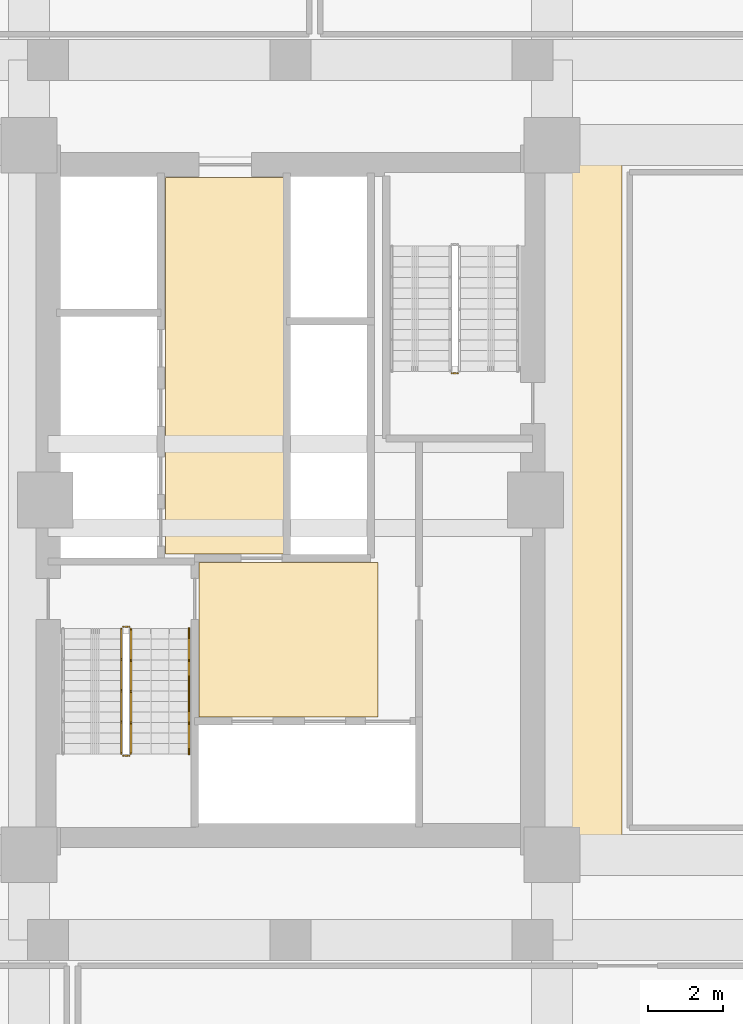
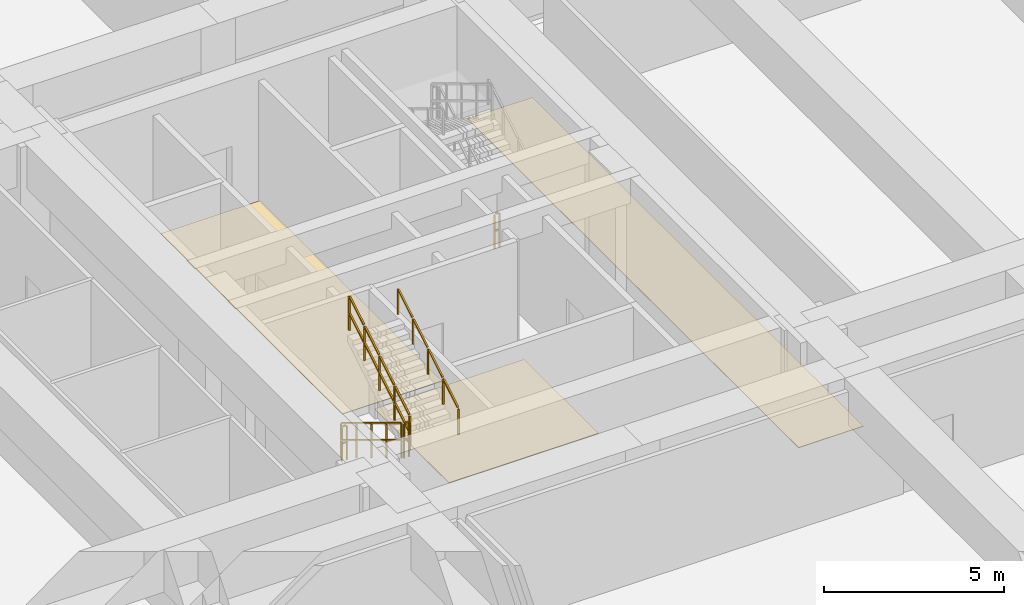
# One storey, part 25 of 28: 6 railings, 3 coverings.
"""IFC4 building model written with IfcOpenShell, lengths in metres."""

from ifc_helpers import new_model, si_unit, direction, frame, origin, origin_2d, place, context, subcontext, project, spatial, polyline, rectangle, outline, extrude, material, layer, layer_set, type_object, element, save


model = new_model("IFC4")

# Units and contexts
model_context = context("Model", 3, precision=1e-05, world=origin(), true_north=direction((0.0, 1.0)))
body_context = subcontext(model_context, "Body", "Model", "MODEL_VIEW")
ifc_project = project(units=[si_unit("LENGTHUNIT", "METRE"), si_unit("AREAUNIT", "SQUARE_METRE"), si_unit("VOLUMEUNIT", "CUBIC_METRE"), si_unit("PLANEANGLEUNIT", "RADIAN"), si_unit("MASSUNIT", "GRAM", prefix="KILO")], contexts=[model_context])

# Site, building, storey
site_placement = place(None, origin())
site = spatial("IfcSite", under=ifc_project, at=site_placement, CompositionType="ELEMENT")
building_placement = place(site_placement, origin())
building = spatial("IfcBuilding", under=site, at=building_placement, Name="Saelheon Loggia Tower", CompositionType="ELEMENT")
storey_placement = place(building_placement, frame((0.0, 0.0, 15.0)))
storey = spatial("IfcBuildingStorey", under=building, at=storey_placement, Name="L04", CompositionType="ELEMENT", Elevation=15.0)

# Coverings
ifc_material_1 = material(Name="Vitrified Porcelain Floor Tile", Category="ceramic")
ifc_layer = layer(ifc_material_1, 0.02001953125)
ifc_layer_set = layer_set([ifc_layer], Name="Vitrified Porcelain Floor Tile")
covering_type = type_object("IfcCoveringType", Name="Cov_Floor_Porcelain", PredefinedType="FLOORING", material=ifc_layer_set)
covering_1_placement = place(storey_placement, origin())
element("IfcCovering", 1, at=covering_1_placement, inside=storey, type_object=covering_type, Name="L04 Corridor Porcelain Flooring", PredefinedType="FLOORING", context=body_context, shape_type="SweptSolid", body=[
    extrude(outline(polyline([(35.550048828125, 21.179931640625), (40.35009765625, 21.179931640625), (40.35009765625, 25.320068359375), (35.550048828125, 25.320068359375), (35.550048828125, 21.179931640625)])), origin(), (0.0, 0.0, 1.0), 0.02001953125),
])
covering_2_placement = place(storey_placement, origin())
element("IfcCovering", 2, at=covering_2_placement, inside=storey, type_object=covering_type, Name="L04 Corridor Porcelain Flooring", PredefinedType="FLOORING", context=body_context, shape_type="SweptSolid", body=[
    extrude(outline(polyline([(34.64990234375, 25.550048828125), (37.85009765625, 25.550048828125), (37.85009765625, 35.64990234375), (34.64990234375, 35.64990234375), (34.64990234375, 25.550048828125)])), origin(), (0.0, 0.0, 1.0), 0.02001953125),
])
covering_3_placement = place(storey_placement, origin())
element("IfcCovering", 3, at=covering_3_placement, inside=storey, type_object=covering_type, Name="L04 Corridor Porcelain Flooring", PredefinedType="FLOORING", context=body_context, shape_type="SweptSolid", body=[
    extrude(outline(polyline([(44.820068359375, 17.800048828125), (46.89990234375, 17.800048828125), (46.89990234375, 36.199951171875), (44.820068359375, 36.199951171875), (44.820068359375, 17.800048828125)])), origin(), (0.0, 0.0, 1.0), 0.02001953125),
])

# Railings
ifc_material_2 = material(Name="Galvanised Steel S275 Stairwell Guardrail", Category="steel")
railing_type_1 = type_object("IfcRailingType", Name="Guard_StairWell_RL_STG", PredefinedType="GUARDRAIL", material=ifc_material_2)
railing_1_placement = place(storey_placement, frame((33.4599609375, 23.550048828125, 0.169189453125)))
element("IfcRailing", 4, at=railing_1_placement, inside=storey, type_object=railing_type_1, Name="L04 ST1 stair guard 1", PredefinedType="GUARDRAIL", context=body_context, shape_type="SweptSolid", body=[
    extrude(rectangle(XDim=0.048095703125, YDim=0.048095703125, at=origin_2d()), frame((0.0, -0.028564453125, 1.193115234375), z_axis=(0.0, -0.855836976705, 0.517245656632), x_axis=(1.0, 0.0, 0.0)), (0.0, 0.0, 1.0), 0.9150390625),
    extrude(rectangle(XDim=0.048095703125, YDim=0.048095703125, at=origin_2d()), frame((0.0, -0.028564453125, 0.6171875), z_axis=(0.0, -0.855836976705, 0.517245656632), x_axis=(1.0, 0.0, 0.0)), (0.0, 0.0, 1.0), 0.9150390625),
    extrude(rectangle(XDim=0.048095703125, YDim=0.048095703125, at=origin_2d()), frame((0.0, -0.868408203125, 1.70068359375), z_axis=(0.0, -0.855836976705, 0.517245656632), x_axis=(1.0, 0.0, 0.0)), (0.0, 0.0, 1.0), 0.9150390625),
    extrude(rectangle(XDim=0.048095703125, YDim=0.048095703125, at=origin_2d()), frame((0.0, -0.868408203125, 1.124755859375), z_axis=(0.0, -0.855836976705, 0.517245656632), x_axis=(1.0, 0.0, 0.0)), (0.0, 0.0, 1.0), 0.9150390625),
    extrude(rectangle(XDim=0.048095703125, YDim=0.048095703125, at=origin_2d()), frame((0.0, -1.70849609375, 2.20849609375), z_axis=(0.0, -0.855836976705, 0.517245656632), x_axis=(1.0, 0.0, 0.0)), (0.0, 0.0, 1.0), 0.9150390625),
    extrude(rectangle(XDim=0.048095703125, YDim=0.048095703125, at=origin_2d()), frame((0.0, -1.70849609375, 1.632568359375), z_axis=(0.0, -0.855836976705, 0.517245656632), x_axis=(1.0, 0.0, 0.0)), (0.0, 0.0, 1.0), 0.9150390625),
    extrude(rectangle(XDim=0.048095703125, YDim=0.048095703125, at=origin_2d()), frame((0.0, -2.548583984375, 2.716064453125), z_axis=(0.0, -0.855836976705, 0.517245656632), x_axis=(1.0, 0.0, 0.0)), (0.0, 0.0, 1.0), 0.9150390625),
    extrude(rectangle(XDim=0.048095703125, YDim=0.048095703125, at=origin_2d()), frame((0.0, -2.548583984375, 2.14013671875), z_axis=(0.0, -0.855836976705, 0.517245656632), x_axis=(1.0, 0.0, 0.0)), (0.0, 0.0, 1.0), 0.9150390625),
    extrude(rectangle(XDim=0.0419921875, YDim=0.0419921875, at=origin_2d()), origin(), (0.0, 0.0, 1.0), 1.14794921875),
    extrude(rectangle(XDim=0.0419921875, YDim=0.0419921875, at=origin_2d()), frame((0.0, -0.840087890625, 0.5078125)), (0.0, 0.0, 1.0), 1.14794921875),
    extrude(rectangle(XDim=0.0419921875, YDim=0.0419921875, at=origin_2d()), frame((0.0, -1.68017578125, 1.015380859375)), (0.0, 0.0, 1.0), 1.14794921875),
    extrude(rectangle(XDim=0.0419921875, YDim=0.0419921875, at=origin_2d()), frame((0.0, -2.52001953125, 1.52294921875)), (0.0, 0.0, 1.0), 1.14794921875),
    extrude(rectangle(XDim=0.0419921875, YDim=0.0419921875, at=origin_2d()), frame((0.0, -3.360107421875, 2.03076171875)), (0.0, 0.0, 1.0), 1.14794921875),
])
railing_2_placement = place(storey_placement, frame((33.510009765625, 20.139892578125, 2.199951171875)))
element("IfcRailing", 5, at=railing_2_placement, inside=storey, type_object=railing_type_1, Name="L04 ST1 stair guard 2", PredefinedType="GUARDRAIL", context=body_context, shape_type="SweptSolid", body=[
    extrude(rectangle(XDim=0.048095703125, YDim=0.048095703125, at=origin_2d()), frame((0.033203125, 0.0, 1.17578125), z_axis=(1.0, 0.0, 0.0), x_axis=(0.0, 1.0, 0.0)), (0.0, 0.0, 1.0), 0.093505859375),
    extrude(rectangle(XDim=0.048095703125, YDim=0.048095703125, at=origin_2d()), frame((0.033203125, 0.0, 0.60009765625), z_axis=(1.0, 0.0, 0.0), x_axis=(0.0, 1.0, 0.0)), (0.0, 0.0, 1.0), 0.093505859375),
    extrude(rectangle(XDim=0.0419921875, YDim=0.0419921875, at=origin_2d()), origin(), (0.0, 0.0, 1.0), 1.14794921875),
    extrude(rectangle(XDim=0.0419921875, YDim=0.0419921875, at=origin_2d()), frame((0.159912109375, 0.0, 0.0)), (0.0, 0.0, 1.0), 1.14794921875),
])
railing_3_placement = place(storey_placement, frame((33.719970703125, 20.18994140625, 2.369140625)))
element("IfcRailing", 6, at=railing_3_placement, inside=storey, type_object=railing_type_1, Name="L04 ST1 stair guard 3", PredefinedType="GUARDRAIL", context=body_context, shape_type="SweptSolid", body=[
    extrude(rectangle(XDim=0.048095703125, YDim=0.048095703125, at=origin_2d()), frame((0.0, 0.028564453125, 1.193115234375), z_axis=(0.0, 0.855836976705, 0.517245656632), x_axis=(-1.0, 0.0, 0.0)), (0.0, 0.0, 1.0), 0.9150390625),
    extrude(rectangle(XDim=0.048095703125, YDim=0.048095703125, at=origin_2d()), frame((0.0, 0.028564453125, 0.6171875), z_axis=(0.0, 0.855836976705, 0.517245656632), x_axis=(-1.0, 0.0, 0.0)), (0.0, 0.0, 1.0), 0.9150390625),
    extrude(rectangle(XDim=0.048095703125, YDim=0.048095703125, at=origin_2d()), frame((0.0, 0.868408203125, 1.70068359375), z_axis=(0.0, 0.855836976705, 0.517245656632), x_axis=(-1.0, 0.0, 0.0)), (0.0, 0.0, 1.0), 0.9150390625),
    extrude(rectangle(XDim=0.048095703125, YDim=0.048095703125, at=origin_2d()), frame((0.0, 0.868408203125, 1.124755859375), z_axis=(0.0, 0.855836976705, 0.517245656632), x_axis=(-1.0, 0.0, 0.0)), (0.0, 0.0, 1.0), 0.9150390625),
    extrude(rectangle(XDim=0.048095703125, YDim=0.048095703125, at=origin_2d()), frame((0.0, 1.70849609375, 2.20849609375), z_axis=(0.0, 0.855836976705, 0.517245656632), x_axis=(-1.0, 0.0, 0.0)), (0.0, 0.0, 1.0), 0.9150390625),
    extrude(rectangle(XDim=0.048095703125, YDim=0.048095703125, at=origin_2d()), frame((0.0, 1.70849609375, 1.632568359375), z_axis=(0.0, 0.855836976705, 0.517245656632), x_axis=(-1.0, 0.0, 0.0)), (0.0, 0.0, 1.0), 0.9150390625),
    extrude(rectangle(XDim=0.048095703125, YDim=0.048095703125, at=origin_2d()), frame((0.0, 2.548583984375, 2.716064453125), z_axis=(0.0, 0.855836976705, 0.517245656632), x_axis=(-1.0, 0.0, 0.0)), (0.0, 0.0, 1.0), 0.9150390625),
    extrude(rectangle(XDim=0.048095703125, YDim=0.048095703125, at=origin_2d()), frame((0.0, 2.548583984375, 2.14013671875), z_axis=(0.0, 0.855836976705, 0.517245656632), x_axis=(-1.0, 0.0, 0.0)), (0.0, 0.0, 1.0), 0.9150390625),
    extrude(rectangle(XDim=0.0419921875, YDim=0.0419921875, at=origin_2d()), origin(), (0.0, 0.0, 1.0), 1.14794921875),
    extrude(rectangle(XDim=0.0419921875, YDim=0.0419921875, at=origin_2d()), frame((0.0, 0.840087890625, 0.5078125)), (0.0, 0.0, 1.0), 1.14794921875),
    extrude(rectangle(XDim=0.0419921875, YDim=0.0419921875, at=origin_2d()), frame((0.0, 1.68017578125, 1.015380859375)), (0.0, 0.0, 1.0), 1.14794921875),
    extrude(rectangle(XDim=0.0419921875, YDim=0.0419921875, at=origin_2d()), frame((0.0, 2.52001953125, 1.52294921875)), (0.0, 0.0, 1.0), 1.14794921875),
    extrude(rectangle(XDim=0.0419921875, YDim=0.0419921875, at=origin_2d()), frame((0.0, 3.360107421875, 2.03076171875)), (0.0, 0.0, 1.0), 1.14794921875),
])
railing_4_placement = place(storey_placement, frame((33.510009765625, 23.60009765625, 0.0)))
element("IfcRailing", 7, at=railing_4_placement, inside=storey, type_object=railing_type_1, Name="L04 ST1 stair guard 4", PredefinedType="GUARDRAIL", context=body_context, shape_type="SweptSolid", body=[
    extrude(rectangle(XDim=0.048095703125, YDim=0.048095703125, at=origin_2d()), frame((0.033203125, 0.0, 1.17578125), z_axis=(1.0, 0.0, 0.0), x_axis=(0.0, 1.0, 0.0)), (0.0, 0.0, 1.0), 0.093505859375),
    extrude(rectangle(XDim=0.048095703125, YDim=0.048095703125, at=origin_2d()), frame((0.033203125, 0.0, 0.60009765625), z_axis=(1.0, 0.0, 0.0), x_axis=(0.0, 1.0, 0.0)), (0.0, 0.0, 1.0), 0.093505859375),
    extrude(rectangle(XDim=0.0419921875, YDim=0.0419921875, at=origin_2d()), origin(), (0.0, 0.0, 1.0), 1.14794921875),
    extrude(rectangle(XDim=0.0419921875, YDim=0.0419921875, at=origin_2d()), frame((0.159912109375, 0.0, 0.0)), (0.0, 0.0, 1.0), 1.14794921875),
])
railing_5_placement = place(storey_placement, frame((42.489990234375, 30.39990234375, 0.0)))
element("IfcRailing", 8, at=railing_5_placement, inside=storey, type_object=railing_type_1, Name="L04 ST2 stair guard 4", PredefinedType="GUARDRAIL", context=body_context, shape_type="SweptSolid", body=[
    extrude(rectangle(XDim=0.048095703125, YDim=0.048095703125, at=origin_2d()), frame((-0.033203125, 0.0, 1.17578125), z_axis=(-1.0, 0.0, 0.0), x_axis=(0.0, -1.0, 0.0)), (0.0, 0.0, 1.0), 0.093505859375),
    extrude(rectangle(XDim=0.048095703125, YDim=0.048095703125, at=origin_2d()), frame((-0.033203125, 0.0, 0.60009765625), z_axis=(-1.0, 0.0, 0.0), x_axis=(0.0, -1.0, 0.0)), (0.0, 0.0, 1.0), 0.093505859375),
    extrude(rectangle(XDim=0.0419921875, YDim=0.0419921875, at=origin_2d()), origin(), (0.0, 0.0, 1.0), 1.14794921875),
    extrude(rectangle(XDim=0.0419921875, YDim=0.0419921875, at=origin_2d()), frame((-0.159912109375, 0.0, 0.0)), (0.0, 0.0, 1.0), 1.14794921875),
])
ifc_material_3 = material(Name="Stainless Steel 304 Tubular Handrail", Category="steel")
railing_type_2 = type_object("IfcRailingType", Name="Handrail_Stair_RL_HR1", PredefinedType="HANDRAIL", material=ifc_material_3)
railing_6_placement = place(storey_placement, frame((35.280029296875, 20.18994140625, 2.369140625)))
element("IfcRailing", 9, at=railing_6_placement, inside=storey, type_object=railing_type_2, Name="L04 ST1 stair handrail 2", PredefinedType="HANDRAIL", context=body_context, shape_type="SweptSolid", body=[
    extrude(rectangle(XDim=0.048095703125, YDim=0.048095703125, at=origin_2d()), frame((0.0, 0.028564453125, 0.89306640625), z_axis=(0.0, 0.855836976705, 0.517245656632), x_axis=(-1.0, 0.0, 0.0)), (0.0, 0.0, 1.0), 0.9150390625),
    extrude(rectangle(XDim=0.048095703125, YDim=0.048095703125, at=origin_2d()), frame((0.0, 0.868408203125, 1.400634765625), z_axis=(0.0, 0.855836976705, 0.517245656632), x_axis=(-1.0, 0.0, 0.0)), (0.0, 0.0, 1.0), 0.9150390625),
    extrude(rectangle(XDim=0.048095703125, YDim=0.048095703125, at=origin_2d()), frame((0.0, 1.70849609375, 1.908447265625), z_axis=(0.0, 0.855836976705, 0.517245656632), x_axis=(-1.0, 0.0, 0.0)), (0.0, 0.0, 1.0), 0.9150390625),
    extrude(rectangle(XDim=0.048095703125, YDim=0.048095703125, at=origin_2d()), frame((0.0, 2.548583984375, 2.416015625), z_axis=(0.0, 0.855836976705, 0.517245656632), x_axis=(-1.0, 0.0, 0.0)), (0.0, 0.0, 1.0), 0.9150390625),
    extrude(rectangle(XDim=0.0419921875, YDim=0.0419921875, at=origin_2d()), origin(), (0.0, 0.0, 1.0), 0.847900390625),
    extrude(rectangle(XDim=0.0419921875, YDim=0.0419921875, at=origin_2d()), frame((0.0, 0.840087890625, 0.5078125)), (0.0, 0.0, 1.0), 0.847900390625),
    extrude(rectangle(XDim=0.0419921875, YDim=0.0419921875, at=origin_2d()), frame((0.0, 1.68017578125, 1.015380859375)), (0.0, 0.0, 1.0), 0.847900390625),
    extrude(rectangle(XDim=0.0419921875, YDim=0.0419921875, at=origin_2d()), frame((0.0, 2.52001953125, 1.52294921875)), (0.0, 0.0, 1.0), 0.847900390625),
    extrude(rectangle(XDim=0.0419921875, YDim=0.0419921875, at=origin_2d()), frame((0.0, 3.360107421875, 2.03076171875)), (0.0, 0.0, 1.0), 0.847900390625),
])

save(model, "model.ifc")
